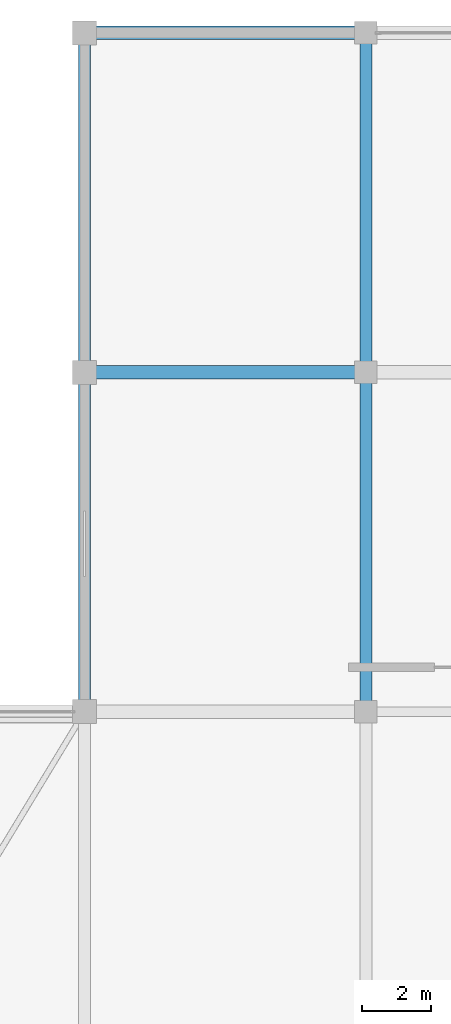
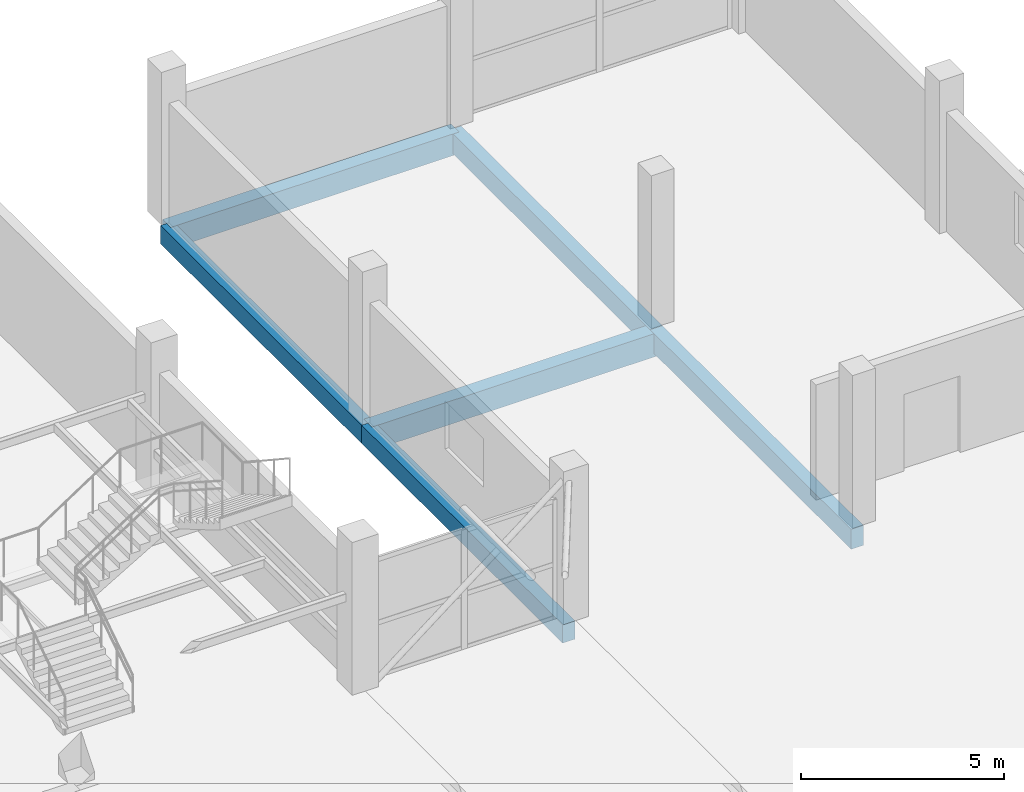
# One storey, part 47 of 69: 6 beams.
"""IFC4 building model written with IfcOpenShell, lengths in metres."""

from ifc_helpers import new_model, si_unit, direction, frame, origin, origin_2d, place, context, subcontext, project, spatial, rectangle, extrude, material, material_profile, profile_set, type_object, element, save


model = new_model("IFC4")

# Units and contexts
model_context = context("Model", 3, precision=1e-05, world=origin(), true_north=direction((0.0, 1.0)))
body_context = subcontext(model_context, "Body", "Model", "MODEL_VIEW")
ifc_project = project(units=[si_unit("LENGTHUNIT", "METRE"), si_unit("AREAUNIT", "SQUARE_METRE"), si_unit("VOLUMEUNIT", "CUBIC_METRE"), si_unit("PLANEANGLEUNIT", "RADIAN"), si_unit("MASSUNIT", "GRAM", prefix="KILO")], contexts=[model_context])

# Site, building, storey
site_placement = place(None, origin())
site = spatial("IfcSite", under=ifc_project, at=site_placement, CompositionType="ELEMENT")
building_placement = place(site_placement, origin())
building = spatial("IfcBuilding", under=site, at=building_placement, Name="Sillaruma Civic Art Gallery", CompositionType="ELEMENT")
storey_placement = place(building_placement, frame((0.0, 0.0, 42.330078125)))
storey = spatial("IfcBuildingStorey", under=building, at=storey_placement, Name="L08", CompositionType="ELEMENT", Elevation=42.330078125)

# Beams
ifc_material = material(Name="Concrete H35 (35 MPa)", Category="concrete")
ifc_material_profile_1 = material_profile(ifc_material, rectangle(XDim=0.35009765625, YDim=0.60009765625, at=origin_2d()), Name="RCB350x600")
ifc_profile_set_1 = profile_set([ifc_material_profile_1], Name="Concrete H35 (35 MPa)")
beam_type_1 = type_object("IfcBeamType", Name="BM-BEAM-RCB350x600", PredefinedType="BEAM", material=ifc_profile_set_1)
beam_1_placement = place(storey_placement, frame((106.199951171875, 79.199951171875, -0.580078125), z_axis=(0.0, 1.0, 0.0), x_axis=(-1.0, 0.0, 0.0)))
element("IfcBeam", 1, at=beam_1_placement, inside=storey, type_object=beam_type_1, Name="Beam BM-06 (L07:M:9-10)", PredefinedType="BEAM", context=body_context, shape_type="SweptSolid", body=[
    extrude(rectangle(XDim=0.35009765625, YDim=0.60009765625, at=origin_2d()), origin(), (0.0, 0.0, 1.0), 9.900146484375),
])
beam_2_placement = place(storey_placement, frame((106.199951171875, 89.10009765625, -0.580078125), z_axis=(0.0, 1.0, 0.0), x_axis=(-1.0, 0.0, 0.0)))
element("IfcBeam", 2, at=beam_2_placement, inside=storey, type_object=beam_type_1, Name="Beam BM-06 (L07:M:10-11)", PredefinedType="BEAM", context=body_context, shape_type="SweptSolid", body=[
    extrude(rectangle(XDim=0.35009765625, YDim=0.60009765625, at=origin_2d()), origin(), (0.0, 0.0, 1.0), 9.89990234375),
])
ifc_material_profile_2 = material_profile(ifc_material, rectangle(XDim=0.39990234375, YDim=0.699951171875, at=origin_2d()), Name="RCB400x700")
ifc_profile_set_2 = profile_set([ifc_material_profile_2], Name="Concrete H35 (35 MPa)")
beam_type_2 = type_object("IfcBeamType", Name="BM-BEAM-RCB400x700", PredefinedType="BEAM", material=ifc_profile_set_2)
beam_3_placement = place(storey_placement, frame((98.0, 89.10009765625, -0.630126953125), z_axis=(1.0, 0.0, 0.0), x_axis=(0.0, 1.0, 0.0)))
element("IfcBeam", 3, at=beam_3_placement, inside=storey, type_object=beam_type_2, Name="Beam BM-04 (L07:10:L-M)", PredefinedType="BEAM", context=body_context, shape_type="SweptSolid", body=[
    extrude(rectangle(XDim=0.39990234375, YDim=0.699951171875, at=origin_2d()), origin(), (0.0, 0.0, 1.0), 8.199951171875),
])
ifc_material_profile_3 = material_profile(ifc_material, rectangle(XDim=0.35009765625, YDim=0.550048828125, at=origin_2d()), Name="RCB350x550")
ifc_profile_set_3 = profile_set([ifc_material_profile_3], Name="Concrete H35 (35 MPa)")
beam_type_3 = type_object("IfcBeamType", Name="BM-SPANDREL-RCB350x550", PredefinedType="SPANDREL", material=ifc_profile_set_3)
beam_4_placement = place(storey_placement, frame((98.0, 79.199951171875, -0.55517578125), z_axis=(0.0, 1.0, 0.0), x_axis=(-1.0, 0.0, 0.0)))
element("IfcBeam", 4, at=beam_4_placement, inside=storey, type_object=beam_type_3, Name="Beam BS-04 (L07:L:9-10)", PredefinedType="SPANDREL", context=body_context, shape_type="SweptSolid", body=[
    extrude(rectangle(XDim=0.35009765625, YDim=0.550048828125, at=origin_2d()), origin(), (0.0, 0.0, 1.0), 9.900146484375),
])
beam_5_placement = place(storey_placement, frame((98.0, 89.10009765625, -0.55517578125), z_axis=(0.0, 1.0, 0.0), x_axis=(-1.0, 0.0, 0.0)))
element("IfcBeam", 5, at=beam_5_placement, inside=storey, type_object=beam_type_3, Name="Beam BS-04 (L07:L:10-11)", PredefinedType="SPANDREL", context=body_context, shape_type="SweptSolid", body=[
    extrude(rectangle(XDim=0.35009765625, YDim=0.550048828125, at=origin_2d()), origin(), (0.0, 0.0, 1.0), 9.89990234375),
])
ifc_material_profile_4 = material_profile(ifc_material, rectangle(XDim=0.39990234375, YDim=0.64990234375, at=origin_2d()), Name="RCB400x650")
ifc_profile_set_4 = profile_set([ifc_material_profile_4], Name="Concrete H35 (35 MPa)")
beam_type_4 = type_object("IfcBeamType", Name="BM-SPANDREL-RCB400x650", PredefinedType="SPANDREL", material=ifc_profile_set_4)
beam_6_placement = place(storey_placement, frame((98.0, 99.0, -0.60498046875), z_axis=(1.0, 0.0, 0.0), x_axis=(0.0, 1.0, 0.0)))
element("IfcBeam", 6, at=beam_6_placement, inside=storey, type_object=beam_type_4, Name="Beam BS-02 (L07:11:L-M)", PredefinedType="SPANDREL", context=body_context, shape_type="SweptSolid", body=[
    extrude(rectangle(XDim=0.39990234375, YDim=0.64990234375, at=origin_2d()), origin(), (0.0, 0.0, 1.0), 8.199951171875),
])

save(model, "model.ifc")
